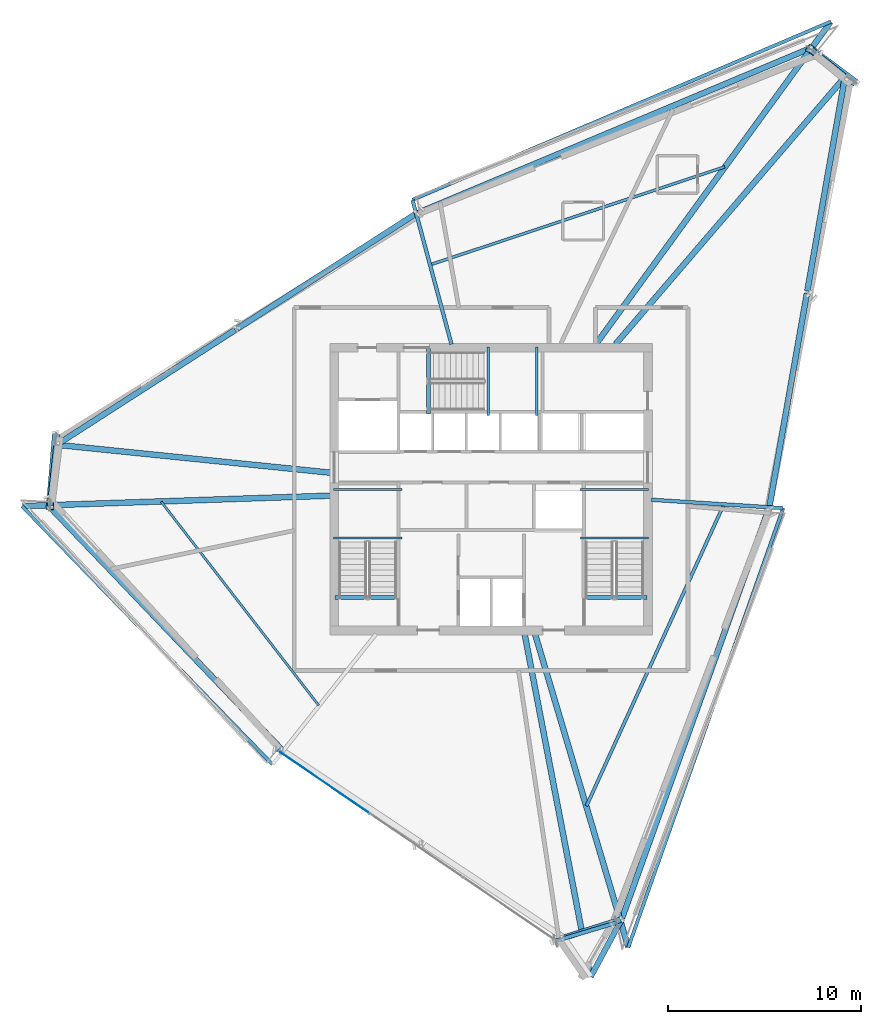
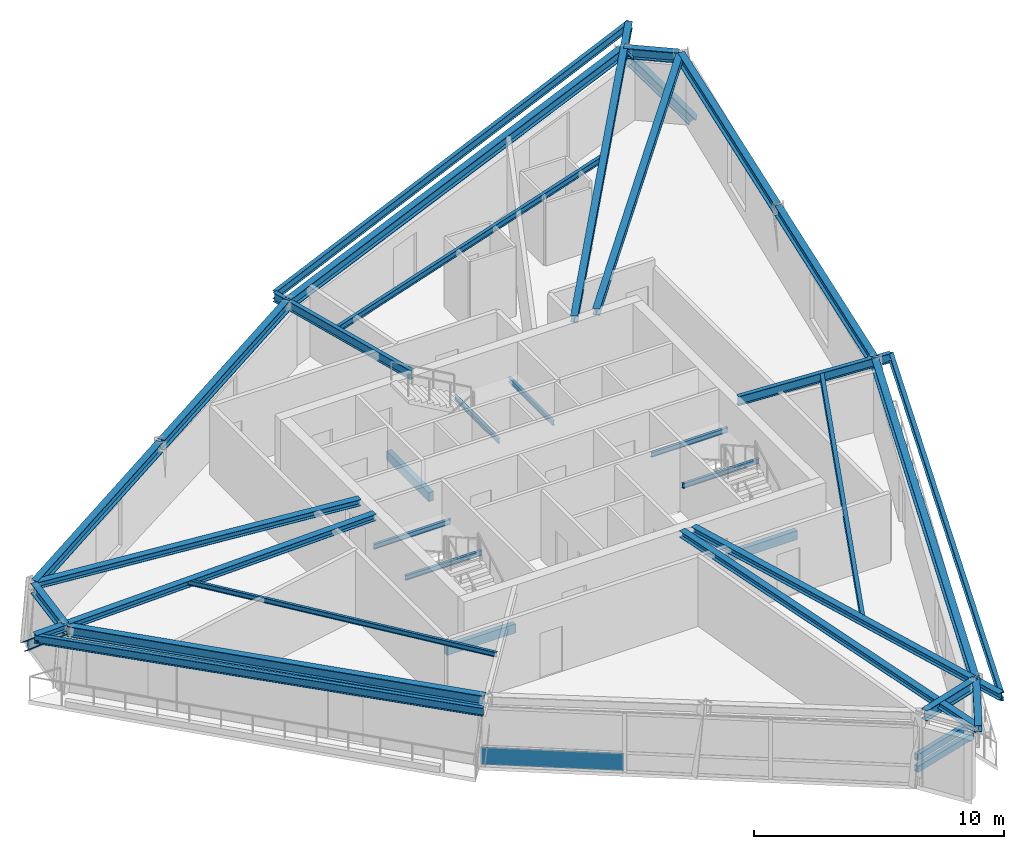
# One storey, part 4 of 13: 34 beams, 4 members, 1 plate, 1 element without a shape of its own.
"""IFC4 building model written with IfcOpenShell, lengths in metres."""

from ifc_helpers import new_model, si_unit, direction, frame, origin, origin_2d, place, context, subcontext, project, spatial, rectangle, hollow_rectangle, i_section, extrude, source, transform, mapped, material, material_profile, profile_set, type_object, element, aggregate, save


model = new_model("IFC4")

# Units and contexts
model_context = context("Model", 3, precision=1e-05, world=origin(), true_north=direction((0.0, 1.0)))
body_context = subcontext(model_context, "Body", "Model", "MODEL_VIEW")
ifc_project = project(units=[si_unit("LENGTHUNIT", "METRE"), si_unit("AREAUNIT", "SQUARE_METRE"), si_unit("VOLUMEUNIT", "CUBIC_METRE"), si_unit("PLANEANGLEUNIT", "RADIAN"), si_unit("MASSUNIT", "GRAM", prefix="KILO")], contexts=[model_context])

# Site, building, storey
site_placement = place(None, origin())
site = spatial("IfcSite", under=ifc_project, at=site_placement, CompositionType="ELEMENT")
building_placement = place(site_placement, origin())
building = spatial("IfcBuilding", under=site, at=building_placement, Name="Olszyna Solenne Hotel", CompositionType="ELEMENT")
storey_placement = place(building_placement, frame((0.0, 0.0, 241.699951171875)))
storey = spatial("IfcBuildingStorey", under=building, at=storey_placement, Name="L64", CompositionType="ELEMENT", Elevation=241.699951171875)

# Beams
ifc_material_1 = material(Name="Steel S355J2", Category="steel")
ifc_material_profile_1 = material_profile(ifc_material_1, i_section(OverallWidth=0.300048828125, OverallDepth=0.5, WebThickness=0.014404296875, FlangeThickness=0.028076171875, at=origin_2d()), Name="HEB 500", Category="load-bearing")
ifc_profile_set_1 = profile_set([ifc_material_profile_1], Name="Steel S355J2")
beam_type_1 = type_object("IfcBeamType", Name="BM-S3", PredefinedType="BEAM", material=ifc_profile_set_1)
shared_shape_1 = source(origin(), body_context, "Body", "SweptSolid", [
    extrude(i_section(OverallWidth=0.300048828125, OverallDepth=0.5, WebThickness=0.014404296875, FlangeThickness=0.028076171875, at=origin_2d()), origin(), (0.0, 0.0, 1.0), 2.225830078125),
])
beam_1_placement = place(storey_placement, frame((56.28662109375, 47.99658203125, 3.130126953125), z_axis=(-0.782044516185, 0.623222572365, 0.0), x_axis=(-0.623222572365, -0.782044516185, 0.0)))
element("IfcBeam", 1, at=beam_1_placement, inside=storey, type_object=beam_type_1, Name="Perimeter spandrel beam BM-S3 B-L64-1883", PredefinedType="BEAM", context=body_context, shape_type="MappedRepresentation", body=[
    mapped(shared_shape_1, transform((0.0, 0.0, 0.0), x_axis=(1.0, 0.0, 0.0), y_axis=(0.0, 1.0, 0.0), z_axis=(0.0, 0.0, 1.0), scale=1.0)),
])
shared_shape_2 = source(origin(), body_context, "Body", "SweptSolid", [
    extrude(i_section(OverallWidth=0.300048828125, OverallDepth=0.5, WebThickness=0.014404296875, FlangeThickness=0.028076171875, at=origin_2d()), origin(), (0.0, 0.0, 1.0), 22.004150390625),
])
beam_2_placement = place(storey_placement, frame((54.44384765625, 49.39794921875, 3.130126953125), z_axis=(-0.922135016437, -0.38686820942, 0.0), x_axis=(0.38686820942, -0.922135016437, 0.0)))
element("IfcBeam", 2, at=beam_2_placement, inside=storey, type_object=beam_type_1, Name="Perimeter spandrel beam BM-S3 B-L64-1884", PredefinedType="BEAM", context=body_context, shape_type="MappedRepresentation", body=[
    mapped(shared_shape_2, transform((0.0, 0.0, 0.0), x_axis=(1.0, 0.0, 0.0), y_axis=(0.0, 1.0, 0.0), z_axis=(0.0, 0.0, 1.0), scale=1.0)),
])
shared_shape_3 = source(origin(), body_context, "Body", "SweptSolid", [
    extrude(i_section(OverallWidth=0.300048828125, OverallDepth=0.5, WebThickness=0.014404296875, FlangeThickness=0.028076171875, at=origin_2d()), origin(), (0.0, 0.0, 1.0), 10.94189453125),
])
beam_3_placement = place(storey_placement, frame((34.04736328125, 40.82958984375, 3.130126953125), z_axis=(-0.841071890396, -0.540923354261, 0.0), x_axis=(0.540923354261, -0.841071890396, 0.0)))
element("IfcBeam", 3, at=beam_3_placement, inside=storey, type_object=beam_type_1, Name="Perimeter spandrel beam BM-S3 B-L64-1885", PredefinedType="BEAM", context=body_context, shape_type="MappedRepresentation", body=[
    mapped(shared_shape_3, transform((0.0, 0.0, 0.0), x_axis=(1.0, 0.0, 0.0), y_axis=(0.0, 1.0, 0.0), z_axis=(0.0, 0.0, 1.0), scale=1.0)),
])
shared_shape_4 = source(origin(), body_context, "Body", "SweptSolid", [
    extrude(i_section(OverallWidth=0.300048828125, OverallDepth=0.5, WebThickness=0.014404296875, FlangeThickness=0.028076171875, at=origin_2d()), origin(), (0.0, 0.0, 1.0), 10.941650390625),
])
beam_4_placement = place(storey_placement, frame((24.743408203125, 34.845703125, 3.130126953125), z_axis=(-0.841065361601, -0.540933505632, 0.0), x_axis=(0.540933505632, -0.841065361601, 0.0)))
element("IfcBeam", 4, at=beam_4_placement, inside=storey, type_object=beam_type_1, Name="Perimeter spandrel beam BM-S3 B-L64-1886", PredefinedType="BEAM", context=body_context, shape_type="MappedRepresentation", body=[
    mapped(shared_shape_4, transform((0.0, 0.0, 0.0), x_axis=(1.0, 0.0, 0.0), y_axis=(0.0, 1.0, 0.0), z_axis=(0.0, 0.0, 1.0), scale=1.0)),
])
shared_shape_5 = source(origin(), body_context, "Body", "SweptSolid", [
    extrude(i_section(OverallWidth=0.300048828125, OverallDepth=0.5, WebThickness=0.014404296875, FlangeThickness=0.028076171875, at=origin_2d()), origin(), (0.0, 0.0, 1.0), 3.131103515625),
])
beam_5_placement = place(storey_placement, frame((15.48388671875, 28.834716796875, 3.130126953125), z_axis=(-0.106279824578, -0.994336260471, 0.0), x_axis=(0.994336260471, -0.106279824578, 0.0)))
element("IfcBeam", 5, at=beam_5_placement, inside=storey, type_object=beam_type_1, Name="Perimeter spandrel beam BM-S3 B-L64-1887", PredefinedType="BEAM", context=body_context, shape_type="MappedRepresentation", body=[
    mapped(shared_shape_5, transform((0.0, 0.0, 0.0), x_axis=(1.0, 0.0, 0.0), y_axis=(0.0, 1.0, 0.0), z_axis=(0.0, 0.0, 1.0), scale=1.0)),
])
shared_shape_6 = source(origin(), body_context, "Body", "SweptSolid", [
    extrude(i_section(OverallWidth=0.300048828125, OverallDepth=0.5, WebThickness=0.014404296875, FlangeThickness=0.028076171875, at=origin_2d()), origin(), (0.0, 0.0, 1.0), 17.354248046875),
])
beam_6_placement = place(storey_placement, frame((15.186279296875, 25.618408203125, 3.130126953125), z_axis=(0.691182079178, -0.722680657983, 0.0), x_axis=(0.722680657983, 0.691182079178, 0.0)))
element("IfcBeam", 6, at=beam_6_placement, inside=storey, type_object=beam_type_1, Name="Perimeter spandrel beam BM-S3 B-L64-1888", PredefinedType="BEAM", context=body_context, shape_type="MappedRepresentation", body=[
    mapped(shared_shape_6, transform((0.0, 0.0, 0.0), x_axis=(1.0, 0.0, 0.0), y_axis=(0.0, 1.0, 0.0), z_axis=(0.0, 0.0, 1.0), scale=1.0)),
])
shared_shape_7 = source(origin(), body_context, "Body", "SweptSolid", [
    extrude(i_section(OverallWidth=0.300048828125, OverallDepth=0.5, WebThickness=0.014404296875, FlangeThickness=0.028076171875, at=origin_2d()), origin(), (0.0, 0.0, 1.0), 3.011474609375),
])
beam_7_placement = place(storey_placement, frame((41.830810546875, 3.37646484375, 3.130126953125), z_axis=(0.95318733369, 0.302380400975, 0.0), x_axis=(-0.302380400975, 0.95318733369, 0.0)))
element("IfcBeam", 7, at=beam_7_placement, inside=storey, type_object=beam_type_1, Name="Perimeter spandrel beam BM-S3 B-L64-1891", PredefinedType="BEAM", context=body_context, shape_type="MappedRepresentation", body=[
    mapped(shared_shape_7, transform((0.0, 0.0, 0.0), x_axis=(1.0, 0.0, 0.0), y_axis=(0.0, 1.0, 0.0), z_axis=(0.0, 0.0, 1.0), scale=1.0)),
])
shared_shape_8 = source(origin(), body_context, "Body", "SweptSolid", [
    extrude(i_section(OverallWidth=0.300048828125, OverallDepth=0.5, WebThickness=0.014404296875, FlangeThickness=0.028076171875, at=origin_2d()), origin(), (0.0, 0.0, 1.0), 22.54296875),
])
beam_8_placement = place(storey_placement, frame((44.77880859375, 4.36181640625, 3.130126953125), z_axis=(0.337516159156, 0.941319734367, 0.0), x_axis=(-0.941319734367, 0.337516159156, 0.0)))
element("IfcBeam", 8, at=beam_8_placement, inside=storey, type_object=beam_type_1, Name="Perimeter spandrel beam BM-S3 B-L64-1892", PredefinedType="BEAM", context=body_context, shape_type="MappedRepresentation", body=[
    mapped(shared_shape_8, transform((0.0, 0.0, 0.0), x_axis=(1.0, 0.0, 0.0), y_axis=(0.0, 1.0, 0.0), z_axis=(0.0, 0.0, 1.0), scale=1.0)),
])
shared_shape_9 = source(origin(), body_context, "Body", "SweptSolid", [
    extrude(i_section(OverallWidth=0.300048828125, OverallDepth=0.5, WebThickness=0.014404296875, FlangeThickness=0.028076171875, at=origin_2d()), origin(), (0.0, 0.0, 1.0), 11.21142578125),
])
beam_9_placement = place(storey_placement, frame((52.418212890625, 25.69775390625, 3.130126953125), z_axis=(0.173206412674, 0.984885545944, 0.0), x_axis=(-0.984885545944, 0.173206412674, 0.0)))
element("IfcBeam", 9, at=beam_9_placement, inside=storey, type_object=beam_type_1, Name="Perimeter spandrel beam BM-S3 B-L64-1893", PredefinedType="BEAM", context=body_context, shape_type="MappedRepresentation", body=[
    mapped(shared_shape_9, transform((0.0, 0.0, 0.0), x_axis=(1.0, 0.0, 0.0), y_axis=(0.0, 1.0, 0.0), z_axis=(0.0, 0.0, 1.0), scale=1.0)),
])
shared_shape_10 = source(origin(), body_context, "Body", "SweptSolid", [
    extrude(i_section(OverallWidth=0.300048828125, OverallDepth=0.5, WebThickness=0.014404296875, FlangeThickness=0.028076171875, at=origin_2d()), origin(), (0.0, 0.0, 1.0), 11.211669921875),
])
beam_10_placement = place(storey_placement, frame((54.381103515625, 36.85791015625, 3.130126953125), z_axis=(0.173223820194, 0.98488248442, 0.0), x_axis=(-0.98488248442, 0.173223820194, 0.0)))
element("IfcBeam", 10, at=beam_10_placement, inside=storey, type_object=beam_type_1, Name="Perimeter spandrel beam BM-S3 B-L64-1894", PredefinedType="BEAM", context=body_context, shape_type="MappedRepresentation", body=[
    mapped(shared_shape_10, transform((0.0, 0.0, 0.0), x_axis=(1.0, 0.0, 0.0), y_axis=(0.0, 1.0, 0.0), z_axis=(0.0, 0.0, 1.0), scale=1.0)),
])
ifc_material_profile_2 = material_profile(ifc_material_1, i_section(OverallWidth=0.300048828125, OverallDepth=0.31005859375, WebThickness=0.009033203125, FlangeThickness=0.015380859375, at=origin_2d()), Name="HEA 320", Category="load-bearing")
ifc_profile_set_2 = profile_set([ifc_material_profile_2], Name="Steel S355J2")
beam_type_2 = type_object("IfcBeamType", Name="BM-G3", PredefinedType="BEAM", material=ifc_profile_set_2)
shared_shape_11 = source(origin(), body_context, "Body", "SweptSolid", [
    extrude(i_section(OverallWidth=0.300048828125, OverallDepth=0.31005859375, WebThickness=0.009033203125, FlangeThickness=0.015380859375, at=origin_2d()), origin(), (0.0, 0.0, 1.0), 18.188720703125),
])
beam_11_placement = place(storey_placement, frame((56.29443359375, 47.913818359375, 3.22509765625), z_axis=(-0.651309653778, -0.758812055054, 0.0), x_axis=(0.758812055054, -0.651309653778, 0.0)))
element("IfcBeam", 11, at=beam_11_placement, inside=storey, type_object=beam_type_2, Name="Radial floor girder BM-G3 B-L64-1895", PredefinedType="BEAM", context=body_context, shape_type="MappedRepresentation", body=[
    mapped(shared_shape_11, transform((0.0, 0.0, 0.0), x_axis=(1.0, 0.0, 0.0), y_axis=(0.0, 1.0, 0.0), z_axis=(0.0, 0.0, 1.0), scale=1.0)),
])
shared_shape_12 = source(origin(), body_context, "Body", "SweptSolid", [
    extrude(i_section(OverallWidth=0.300048828125, OverallDepth=0.31005859375, WebThickness=0.009033203125, FlangeThickness=0.015380859375, at=origin_2d()), origin(), (0.0, 0.0, 1.0), 20.653564453125),
])
beam_12_placement = place(storey_placement, frame((55.590576171875, 50.802978515625, 3.22509765625), z_axis=(-0.58882867514, -0.808257874278, 0.0), x_axis=(0.808257874278, -0.58882867514, 0.0)))
element("IfcBeam", 12, at=beam_12_placement, inside=storey, type_object=beam_type_2, Name="Radial floor girder BM-G3 B-L64-1896", PredefinedType="BEAM", context=body_context, shape_type="MappedRepresentation", body=[
    mapped(shared_shape_12, transform((0.0, 0.0, 0.0), x_axis=(1.0, 0.0, 0.0), y_axis=(0.0, 1.0, 0.0), z_axis=(0.0, 0.0, 1.0), scale=1.0)),
])
ifc_material_profile_3 = material_profile(ifc_material_1, i_section(OverallWidth=0.18994140625, OverallDepth=0.449951171875, WebThickness=0.009521484375, FlangeThickness=0.0146484375, at=origin_2d()), Name="IPE 450", Category="load-bearing")
ifc_profile_set_3 = profile_set([ifc_material_profile_3], Name="Steel S355J2")
beam_type_3 = type_object("IfcBeamType", Name="BM-F4", PredefinedType="BEAM", material=ifc_profile_set_3)
shared_shape_13 = source(origin(), body_context, "Body", "SweptSolid", [
    extrude(i_section(OverallWidth=0.18994140625, OverallDepth=0.449951171875, WebThickness=0.009521484375, FlangeThickness=0.0146484375, at=origin_2d()), origin(), (0.0, 0.0, 1.0), 7.735107421875),
])
beam_13_placement = place(storey_placement, frame((33.92919921875, 41.56884765625, 3.155029296875), z_axis=(0.260932079662, -0.965357161782, 0.0), x_axis=(0.965357161782, 0.260932079662, 0.0)))
element("IfcBeam", 13, at=beam_13_placement, inside=storey, type_object=beam_type_3, Name="Radial floor girder BM-F4 B-L64-1897", PredefinedType="BEAM", context=body_context, shape_type="MappedRepresentation", body=[
    mapped(shared_shape_13, transform((0.0, 0.0, 0.0), x_axis=(1.0, 0.0, 0.0), y_axis=(0.0, 1.0, 0.0), z_axis=(0.0, 0.0, 1.0), scale=1.0)),
])
shared_shape_14 = source(origin(), body_context, "Body", "SweptSolid", [
    extrude(i_section(OverallWidth=0.300048828125, OverallDepth=0.31005859375, WebThickness=0.009033203125, FlangeThickness=0.015380859375, at=origin_2d()), origin(), (0.0, 0.0, 1.0), 14.22314453125),
])
beam_14_placement = place(storey_placement, frame((15.5498046875, 28.88818359375, 3.22509765625), z_axis=(0.9948464111, -0.101393384009, 0.0), x_axis=(0.101393384009, 0.9948464111, 0.0)))
element("IfcBeam", 14, at=beam_14_placement, inside=storey, type_object=beam_type_2, Name="Radial floor girder BM-G3 B-L64-1898", PredefinedType="BEAM", context=body_context, shape_type="MappedRepresentation", body=[
    mapped(shared_shape_14, transform((0.0, 0.0, 0.0), x_axis=(1.0, 0.0, 0.0), y_axis=(0.0, 1.0, 0.0), z_axis=(0.0, 0.0, 1.0), scale=1.0)),
])
shared_shape_15 = source(origin(), body_context, "Body", "SweptSolid", [
    extrude(i_section(OverallWidth=0.300048828125, OverallDepth=0.31005859375, WebThickness=0.009033203125, FlangeThickness=0.015380859375, at=origin_2d()), origin(), (0.0, 0.0, 1.0), 15.9951171875),
])
beam_15_placement = place(storey_placement, frame((13.714111328125, 25.716552734375, 3.22509765625), z_axis=(0.999424185121, 0.033930785356, 0.0), x_axis=(-0.033930785356, 0.999424185121, 0.0)))
element("IfcBeam", 15, at=beam_15_placement, inside=storey, type_object=beam_type_2, Name="Radial floor girder BM-G3 B-L64-1899", PredefinedType="BEAM", context=body_context, shape_type="MappedRepresentation", body=[
    mapped(shared_shape_15, transform((0.0, 0.0, 0.0), x_axis=(1.0, 0.0, 0.0), y_axis=(0.0, 1.0, 0.0), z_axis=(0.0, 0.0, 1.0), scale=1.0)),
])
shared_shape_16 = source(origin(), body_context, "Body", "SweptSolid", [
    extrude(i_section(OverallWidth=0.300048828125, OverallDepth=0.31005859375, WebThickness=0.009033203125, FlangeThickness=0.015380859375, at=origin_2d()), origin(), (0.0, 0.0, 1.0), 18.073974609375),
])
beam_16_placement = place(storey_placement, frame((43.1474609375, 1.349609375, 3.22509765625), z_axis=(-0.188798295221, 0.982015887713, 0.0), x_axis=(-0.982015887713, -0.188798295221, 0.0)))
element("IfcBeam", 16, at=beam_16_placement, inside=storey, type_object=beam_type_2, Name="Radial floor girder BM-G3 B-L64-1901", PredefinedType="BEAM", context=body_context, shape_type="MappedRepresentation", body=[
    mapped(shared_shape_16, transform((0.0, 0.0, 0.0), x_axis=(1.0, 0.0, 0.0), y_axis=(0.0, 1.0, 0.0), z_axis=(0.0, 0.0, 1.0), scale=1.0)),
])
shared_shape_17 = source(origin(), body_context, "Body", "SweptSolid", [
    extrude(i_section(OverallWidth=0.300048828125, OverallDepth=0.31005859375, WebThickness=0.009033203125, FlangeThickness=0.015380859375, at=origin_2d()), origin(), (0.0, 0.0, 1.0), 16.927978515625),
])
beam_17_placement = place(storey_placement, frame((45.100341796875, 2.872314453125, 3.22509765625), z_axis=(-0.285084511532, 0.9585023846, 0.0), x_axis=(-0.9585023846, -0.285084511532, 0.0)))
element("IfcBeam", 17, at=beam_17_placement, inside=storey, type_object=beam_type_2, Name="Radial floor girder BM-G3 B-L64-1902", PredefinedType="BEAM", context=body_context, shape_type="MappedRepresentation", body=[
    mapped(shared_shape_17, transform((0.0, 0.0, 0.0), x_axis=(1.0, 0.0, 0.0), y_axis=(0.0, 1.0, 0.0), z_axis=(0.0, 0.0, 1.0), scale=1.0)),
])
shared_shape_18 = source(origin(), body_context, "Body", "SweptSolid", [
    extrude(i_section(OverallWidth=0.18994140625, OverallDepth=0.449951171875, WebThickness=0.009521484375, FlangeThickness=0.0146484375, at=origin_2d()), origin(), (0.0, 0.0, 1.0), 6.82666015625),
])
beam_18_placement = place(storey_placement, frame((53.113037109375, 25.61279296875, 3.155029296875), z_axis=(-0.997983230876, 0.063478113481, 0.0), x_axis=(-0.063478113481, -0.997983230876, 0.0)))
element("IfcBeam", 18, at=beam_18_placement, inside=storey, type_object=beam_type_3, Name="Radial floor girder BM-F4 B-L64-1903", PredefinedType="BEAM", context=body_context, shape_type="MappedRepresentation", body=[
    mapped(shared_shape_18, transform((0.0, 0.0, 0.0), x_axis=(1.0, 0.0, 0.0), y_axis=(0.0, 1.0, 0.0), z_axis=(0.0, 0.0, 1.0), scale=1.0)),
])
shared_shape_19 = source(origin(), body_context, "Body", "SweptSolid", [
    extrude(i_section(OverallWidth=0.300048828125, OverallDepth=0.31005859375, WebThickness=0.009033203125, FlangeThickness=0.015380859375, at=origin_2d()), origin(), (0.0, 0.0, 1.0), 3.3818359375),
])
beam_19_placement = place(storey_placement, frame((44.758544921875, 4.30517578125, 3.22509765625), z_axis=(-0.475317706238, -0.879814229333, 0.0), x_axis=(0.879814229333, -0.475317706238, 0.0)))
element("IfcBeam", 19, at=beam_19_placement, inside=storey, type_object=beam_type_2, Name="Prism side edge beam BM-G3 B-L64-1905", PredefinedType="BEAM", context=body_context, shape_type="MappedRepresentation", body=[
    mapped(shared_shape_19, transform((0.0, 0.0, 0.0), x_axis=(1.0, 0.0, 0.0), y_axis=(0.0, 1.0, 0.0), z_axis=(0.0, 0.0, 1.0), scale=1.0)),
])
ifc_material_profile_4 = material_profile(ifc_material_1, i_section(OverallWidth=0.14990234375, OverallDepth=0.300048828125, WebThickness=0.007080078125, FlangeThickness=0.0107421875, at=origin_2d()), Name="IPE 300", Category="load-bearing")
ifc_profile_set_4 = profile_set([ifc_material_profile_4], Name="Steel S355J2")
beam_type_4 = type_object("IfcBeamType", Name="JS-02", PredefinedType="JOIST", material=ifc_profile_set_4)
shared_shape_20 = source(origin(), body_context, "Body", "SweptSolid", [
    extrude(i_section(OverallWidth=0.14990234375, OverallDepth=0.300048828125, WebThickness=0.007080078125, FlangeThickness=0.0107421875, at=origin_2d()), origin(), (0.0, 0.0, 1.0), 16.07177734375),
])
beam_20_placement = place(storey_placement, frame((50.10546875, 43.29345703125, 3.22998046875), z_axis=(-0.948983641705, -0.315325304689, 0.0), x_axis=(0.315325304689, -0.948983641705, 0.0)))
element("IfcBeam", 20, at=beam_20_placement, inside=storey, type_object=beam_type_4, Name="Secondary composite floor joist JS-02 B-L64-1906", PredefinedType="JOIST", context=body_context, shape_type="MappedRepresentation", body=[
    mapped(shared_shape_20, transform((0.0, 0.0, 0.0), x_axis=(1.0, 0.0, 0.0), y_axis=(0.0, 1.0, 0.0), z_axis=(0.0, 0.0, 1.0), scale=1.0)),
])
ifc_material_profile_5 = material_profile(ifc_material_1, i_section(OverallWidth=0.1201171875, OverallDepth=0.239990234375, WebThickness=0.006103515625, FlangeThickness=0.009765625, at=origin_2d()), Name="IPE 240", Category="load-bearing")
ifc_profile_set_5 = profile_set([ifc_material_profile_5], Name="Steel S355J2")
beam_type_5 = type_object("IfcBeamType", Name="JS-03", PredefinedType="JOIST", material=ifc_profile_set_5)
shared_shape_21 = source(origin(), body_context, "Body", "SweptSolid", [
    extrude(i_section(OverallWidth=0.1201171875, OverallDepth=0.239990234375, WebThickness=0.006103515625, FlangeThickness=0.009765625, at=origin_2d()), origin(), (0.0, 0.0, 1.0), 13.343017578125),
])
beam_21_placement = place(storey_placement, frame((20.908935546875, 25.944580078125, 3.260009765625), z_axis=(0.611773441088, -0.791033031408, 0.0), x_axis=(0.791033031408, 0.611773441088, 0.0)))
element("IfcBeam", 21, at=beam_21_placement, inside=storey, type_object=beam_type_5, Name="Secondary composite floor joist JS-03 B-L64-1907", PredefinedType="JOIST", context=body_context, shape_type="MappedRepresentation", body=[
    mapped(shared_shape_21, transform((0.0, 0.0, 0.0), x_axis=(1.0, 0.0, 0.0), y_axis=(0.0, 1.0, 0.0), z_axis=(0.0, 0.0, 1.0), scale=1.0)),
])
ifc_material_profile_6 = material_profile(ifc_material_1, i_section(OverallWidth=0.169921875, OverallDepth=0.360107421875, WebThickness=0.008056640625, FlangeThickness=0.0126953125, at=origin_2d()), Name="IPE 360", Category="load-bearing")
ifc_profile_set_6 = profile_set([ifc_material_profile_6], Name="Steel S355J2")
beam_type_6 = type_object("IfcBeamType", Name="JS-01", PredefinedType="JOIST", material=ifc_profile_set_6)
shared_shape_22 = source(origin(), body_context, "Body", "SweptSolid", [
    extrude(i_section(OverallWidth=0.169921875, OverallDepth=0.360107421875, WebThickness=0.008056640625, FlangeThickness=0.0126953125, at=origin_2d()), origin(), (0.0, 0.0, 1.0), 17.150634765625),
])
beam_22_placement = place(storey_placement, frame((42.940185546875, 10.181396484375, 3.199951171875), z_axis=(0.414555705113, 0.910023937794, 0.0), x_axis=(-0.910023937794, 0.414555705113, 0.0)))
element("IfcBeam", 22, at=beam_22_placement, inside=storey, type_object=beam_type_6, Name="Secondary composite floor joist JS-01 B-L64-1908", PredefinedType="JOIST", context=body_context, shape_type="MappedRepresentation", body=[
    mapped(shared_shape_22, transform((0.0, 0.0, 0.0), x_axis=(1.0, 0.0, 0.0), y_axis=(0.0, 1.0, 0.0), z_axis=(0.0, 0.0, 1.0), scale=1.0)),
])
ifc_material_profile_7 = material_profile(ifc_material_1, i_section(OverallWidth=0.179931640625, OverallDepth=0.39990234375, WebThickness=0.008544921875, FlangeThickness=0.013427734375, at=origin_2d()), Name="IPE 400", Category="load-bearing")
ifc_profile_set_7 = profile_set([ifc_material_profile_7], Name="Steel S355J2")
beam_type_7 = type_object("IfcBeamType", Name="BM-F5", PredefinedType="BEAM", material=ifc_profile_set_7)
shared_shape_23 = source(origin(), body_context, "Body", "SweptSolid", [
    extrude(i_section(OverallWidth=0.179931640625, OverallDepth=0.39990234375, WebThickness=0.008544921875, FlangeThickness=0.013427734375, at=origin_2d()), origin(), (0.0, 0.0, 1.0), 23.561767578125),
])
beam_23_placement = place(storey_placement, frame((55.602294921875, 50.819091796875, 3.179931640625), z_axis=(-0.920060086263, -0.39177728069, 0.0), x_axis=(0.39177728069, -0.920060086263, 0.0)))
element("IfcBeam", 23, at=beam_23_placement, inside=storey, type_object=beam_type_7, Name="Loggia outer edge beam BM-F5 B-L64-1909", PredefinedType="BEAM", context=body_context, shape_type="MappedRepresentation", body=[
    mapped(shared_shape_23, transform((0.0, 0.0, 0.0), x_axis=(1.0, 0.0, 0.0), y_axis=(0.0, 1.0, 0.0), z_axis=(0.0, 0.0, 1.0), scale=1.0)),
])
shared_shape_24 = source(origin(), body_context, "Body", "SweptSolid", [
    extrude(i_section(OverallWidth=0.179931640625, OverallDepth=0.39990234375, WebThickness=0.008544921875, FlangeThickness=0.013427734375, at=origin_2d()), origin(), (0.0, 0.0, 1.0), 18.64013671875),
])
beam_24_placement = place(storey_placement, frame((13.694091796875, 25.7158203125, 3.179931640625), z_axis=(0.696178768494, -0.717868457517, 0.0), x_axis=(0.717868457517, 0.696178768494, 0.0)))
element("IfcBeam", 24, at=beam_24_placement, inside=storey, type_object=beam_type_7, Name="Loggia outer edge beam BM-F5 B-L64-1910", PredefinedType="BEAM", context=body_context, shape_type="MappedRepresentation", body=[
    mapped(shared_shape_24, transform((0.0, 0.0, 0.0), x_axis=(1.0, 0.0, 0.0), y_axis=(0.0, 1.0, 0.0), z_axis=(0.0, 0.0, 1.0), scale=1.0)),
])
shared_shape_25 = source(origin(), body_context, "Body", "SweptSolid", [
    extrude(i_section(OverallWidth=0.179931640625, OverallDepth=0.39990234375, WebThickness=0.008544921875, FlangeThickness=0.013427734375, at=origin_2d()), origin(), (0.0, 0.0, 1.0), 24.132568359375),
])
beam_25_placement = place(storey_placement, frame((45.106201171875, 2.85302734375, 3.179931640625), z_axis=(0.332614788809, 0.943062777479, 0.0), x_axis=(-0.943062777479, 0.332614788809, 0.0)))
element("IfcBeam", 25, at=beam_25_placement, inside=storey, type_object=beam_type_7, Name="Loggia outer edge beam BM-F5 B-L64-1911", PredefinedType="BEAM", context=body_context, shape_type="MappedRepresentation", body=[
    mapped(shared_shape_25, transform((0.0, 0.0, 0.0), x_axis=(1.0, 0.0, 0.0), y_axis=(0.0, 1.0, 0.0), z_axis=(0.0, 0.0, 1.0), scale=1.0)),
])

# Members
ifc_material_profile_8 = material_profile(ifc_material_1, hollow_rectangle(XDim=0.199951171875, YDim=0.300048828125, WallThickness=0.01611328125, at=origin_2d()), Name="RHS 300x200x16", Category="load-bearing")
ifc_profile_set_8 = profile_set([ifc_material_profile_8], Name="Steel S355J2")
member_type_1 = type_object("IfcMemberType", Name="CH-PR1", PredefinedType="CHORD", material=ifc_profile_set_8)
shared_shape_26 = source(origin(), body_context, "Body", "SweptSolid", [
    extrude(hollow_rectangle(XDim=0.199951171875, YDim=0.300048828125, WallThickness=0.01611328125, at=origin_2d()), origin(), (0.0, 0.0, 1.0), 3.262939453125),
])
for number, where, z_axis, x_axis, name in (
    (26, (41.356689453125, 3.197509765625, 1.35009765625), (0.957832463196, 0.287327291514, 0.0), (-0.287327291514, 0.957832463196, 0.0), "Glass-prism tie chord CH-PR1 M-L64-PR1"),
    (27, (41.356689453125, 3.197509765625, 0.780029296875), (0.957832463196, 0.287327291514, 0.0), (-0.287327291514, 0.957832463196, 0.0), "Glass-prism tie chord CH-PR1 M-L64-PR2"),
):
    element("IfcMember", number, at=place(storey_placement, frame(where, z_axis=z_axis, x_axis=x_axis)), inside=storey, type_object=member_type_1, Name=name, PredefinedType="CHORD", context=body_context, shape_type="MappedRepresentation", body=[
        mapped(shared_shape_26, transform((0.0, 0.0, 0.0), x_axis=(1.0, 0.0, 0.0), y_axis=(0.0, 1.0, 0.0), z_axis=(0.0, 0.0, 1.0), scale=1.0)),
    ])
ifc_material_2 = material(Name="Steel S460M", Category="steel")
ifc_material_profile_9 = material_profile(ifc_material_2, i_section(OverallWidth=0.40087890625, OverallDepth=0.39892578125, WebThickness=0.02197265625, FlangeThickness=0.034423828125, at=origin_2d()), Name="HD 400x314", Category="load-bearing")
ifc_profile_set_9 = profile_set([ifc_material_profile_9], Name="Steel S460M")
member_type_2 = type_object("IfcMemberType", Name="BR-T3", PredefinedType="BRACE", material=ifc_profile_set_9)
shared_shape_27 = source(origin(), body_context, "Body", "SweptSolid", [
    extrude(i_section(OverallWidth=0.40087890625, OverallDepth=0.39892578125, WebThickness=0.02197265625, FlangeThickness=0.034423828125, at=origin_2d()), origin(), (0.0, 0.0, 1.0), 4.199951171875),
])
member_1_placement = place(storey_placement, frame((56.776123046875, 47.7255859375, 0.010009765625), z_axis=(-0.542182885408, 0.403716107983, 0.736919956933), x_axis=(-0.597230836145, -0.802069403704, 0.0)))
element("IfcMember", 28, at=member_1_placement, inside=storey, type_object=member_type_2, Name="Perimeter braced-tube diagonal BR-T3 BR-L64-1", PredefinedType="BRACE", context=body_context, shape_type="MappedRepresentation", body=[
    mapped(shared_shape_27, transform((0.0, 0.0, 0.0), x_axis=(1.0, 0.0, 0.0), y_axis=(0.0, 1.0, 0.0), z_axis=(0.0, 0.0, 1.0), scale=1.0)),
])
shared_shape_28 = source(origin(), body_context, "Body", "SweptSolid", [
    extrude(i_section(OverallWidth=0.40087890625, OverallDepth=0.39892578125, WebThickness=0.02197265625, FlangeThickness=0.034423828125, at=origin_2d()), origin(), (0.0, 0.0, 1.0), 4.796142578125),
])
member_2_placement = place(storey_placement, frame((15.45458984375, 29.312744140625, 0.010009765625), z_axis=(-0.064595519843, -0.761198899708, 0.645293463394), x_axis=(0.996418700832, -0.084556328163, 0.0)))
element("IfcMember", 29, at=member_2_placement, inside=storey, type_object=member_type_2, Name="Perimeter braced-tube diagonal BR-T3 BR-L64-2", PredefinedType="BRACE", context=body_context, shape_type="MappedRepresentation", body=[
    mapped(shared_shape_28, transform((0.0, 0.0, 0.0), x_axis=(1.0, 0.0, 0.0), y_axis=(0.0, 1.0, 0.0), z_axis=(0.0, 0.0, 1.0), scale=1.0)),
])

# Beams
shared_shape_29 = source(origin(), body_context, "Body", "SweptSolid", [
    extrude(i_section(OverallWidth=0.1201171875, OverallDepth=0.239990234375, WebThickness=0.006103515625, FlangeThickness=0.009765625, at=origin_2d()), origin(), (0.0, 0.0, 1.0), 3.539794921875),
])
for number, where, z_axis, x_axis, name in (
    (30, (33.3798828125, 24.070068359375, 1.47509765625), (-1.0, 0.0, 0.0), (0.0, -1.0, 0.0), "Stair landing support beam JS-03 SLB-ST1-0133"),
    (31, (33.3798828125, 26.580078125, 1.47509765625), (-1.0, 0.0, 0.0), (0.0, -1.0, 0.0), "Stair landing support beam JS-03 SLB-ST1-0134"),
    (32, (46.159912109375, 24.070068359375, 1.47509765625), (-1.0, 0.0, 0.0), (0.0, -1.0, 0.0), "Stair landing support beam JS-03 SLB-ST2-0373"),
    (33, (46.159912109375, 26.580078125, 1.47509765625), (-1.0, 0.0, 0.0), (0.0, -1.0, 0.0), "Stair landing support beam JS-03 SLB-ST2-0374"),
):
    element("IfcBeam", number, at=place(storey_placement, frame(where, z_axis=z_axis, x_axis=x_axis)), inside=storey, type_object=beam_type_5, Name=name, PredefinedType="JOIST", context=body_context, shape_type="MappedRepresentation", body=[
        mapped(shared_shape_29, transform((0.0, 0.0, 0.0), x_axis=(1.0, 0.0, 0.0), y_axis=(0.0, 1.0, 0.0), z_axis=(0.0, 0.0, 1.0), scale=1.0)),
    ])
ifc_material_3 = material(Name="Concrete C50/60", Category="concrete")
ifc_material_profile_10 = material_profile(ifc_material_3, rectangle(XDim=0.219970703125, YDim=0.43994140625, at=origin_2d()), Name="RC 220x440", Category="load-bearing")
ifc_profile_set_10 = profile_set([ifc_material_profile_10], Name="Concrete C50/60")
beam_type_8 = type_object("IfcBeamType", Name="BM-ST1", PredefinedType="BEAM", material=ifc_profile_set_10)
shared_shape_30 = source(origin(), body_context, "Body", "SweptSolid", [
    extrude(rectangle(XDim=0.219970703125, YDim=0.43994140625, at=origin_2d()), origin(), (0.0, 0.0, 1.0), 3.18017578125),
])
for number, where, z_axis, x_axis, name in (
    (34, (33.10009765625, 20.97998046875, -0.204833984375), (-1.0, 0.0, 0.0), (0.0, -1.0, 0.0), "Concrete stair trimmer beam BM-ST1 SHB-ST1-0226"),
    (35, (46.080078125, 20.97998046875, -0.204833984375), (-1.0, 0.0, 0.0), (0.0, -1.0, 0.0), "Concrete stair trimmer beam BM-ST1 SHB-ST2-0466"),
):
    element("IfcBeam", number, at=place(storey_placement, frame(where, z_axis=z_axis, x_axis=x_axis)), inside=storey, type_object=beam_type_8, Name=name, PredefinedType="BEAM", context=body_context, shape_type="MappedRepresentation", body=[
        mapped(shared_shape_30, transform((0.0, 0.0, 0.0), x_axis=(1.0, 0.0, 0.0), y_axis=(0.0, 1.0, 0.0), z_axis=(0.0, 0.0, 1.0), scale=1.0)),
    ])
shared_shape_31 = source(origin(), body_context, "Body", "SweptSolid", [
    extrude(i_section(OverallWidth=0.1201171875, OverallDepth=0.239990234375, WebThickness=0.006103515625, FlangeThickness=0.009765625, at=origin_2d()), origin(), (0.0, 0.0, 1.0), 3.5400390625),
])
for number, where, z_axis, x_axis, name in (
    (36, (37.85009765625, 30.419921875, 1.47509765625), (0.0, 1.0, 0.0), (-1.0, 0.0, 0.0), "Stair landing support beam JS-03 SLB-ST3-0613"),
    (37, (40.360107421875, 30.419921875, 1.47509765625), (0.0, 1.0, 0.0), (-1.0, 0.0, 0.0), "Stair landing support beam JS-03 SLB-ST3-0614"),
):
    element("IfcBeam", number, at=place(storey_placement, frame(where, z_axis=z_axis, x_axis=x_axis)), inside=storey, type_object=beam_type_5, Name=name, PredefinedType="JOIST", context=body_context, shape_type="MappedRepresentation", body=[
        mapped(shared_shape_31, transform((0.0, 0.0, 0.0), x_axis=(1.0, 0.0, 0.0), y_axis=(0.0, 1.0, 0.0), z_axis=(0.0, 0.0, 1.0), scale=1.0)),
    ])
shared_shape_32 = source(origin(), body_context, "Body", "SweptSolid", [
    extrude(rectangle(XDim=0.219970703125, YDim=0.43994140625, at=origin_2d()), origin(), (0.0, 0.0, 1.0), 3.3798828125),
])
beam_26_placement = place(storey_placement, frame((34.760009765625, 30.5, -0.204833984375), z_axis=(0.0, 1.0, 0.0), x_axis=(-1.0, 0.0, 0.0)))
element("IfcBeam", 38, at=beam_26_placement, inside=storey, type_object=beam_type_8, Name="Concrete stair trimmer beam BM-ST1 SHB-ST3-0704", PredefinedType="BEAM", context=body_context, shape_type="MappedRepresentation", body=[
    mapped(shared_shape_32, transform((0.0, 0.0, 0.0), x_axis=(1.0, 0.0, 0.0), y_axis=(0.0, 1.0, 0.0), z_axis=(0.0, 0.0, 1.0), scale=1.0)),
])

# Curtain wall, plate
ifc_material_4 = material(Name="Anodised bronze aluminium", Category="aluminium")
curtain_wall_type = type_object("IfcCurtainWallType", Name="CW-SYS-4", PredefinedType="NOTDEFINED", material=ifc_material_4)
curtain_wall_placement = place(storey_placement, origin())
curtain_wall = element("IfcCurtainWall", 39, at=curtain_wall_placement, inside=storey, type_object=curtain_wall_type, Name="Unitised curtain wall CW-SYS-4 CW-L64-01", PredefinedType="NOTDEFINED")
ifc_material_5 = material(Name="Terracotta cladding", Category="masonry")
plate_type = type_object("IfcPlateType", Name="PN-SP1", PredefinedType="CURTAIN_PANEL", material=ifc_material_5)
shared_shape_33 = source(origin(), body_context, "Body", "SweptSolid", [
    extrude(rectangle(XDim=5.73779296875, YDim=0.035888671875, at=origin_2d()), origin(), (0.0, 0.0, 1.0), 0.8525390625),
])
plate_placement = place(storey_placement, frame((29.328369140625, 11.4228515625, 0.06494140625), z_axis=(0.0, 0.0, 1.0), x_axis=(0.825446791898, -0.564479932101, 0.0)))
plate = element("IfcPlate", 40, at=plate_placement, type_object=plate_type, Name="Curtain-wall panel PN-SP1 CP-L64-01-01", PredefinedType="CURTAIN_PANEL", context=body_context, shape_type="MappedRepresentation", body=[
    mapped(shared_shape_33, transform((0.0, 0.0, 0.0), x_axis=(1.0, 0.0, 0.0), y_axis=(0.0, 1.0, 0.0), z_axis=(0.0, 0.0, 1.0), scale=1.0)),
])
aggregate(curtain_wall, [plate])

save(model, "model.ifc")
